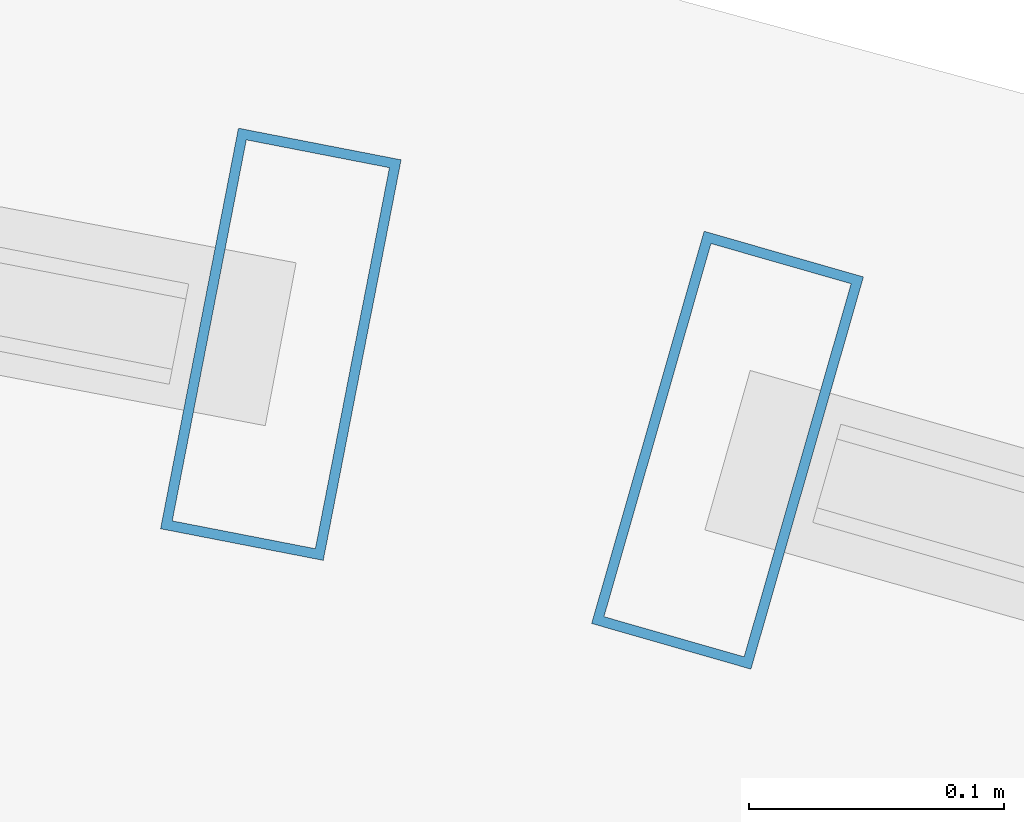
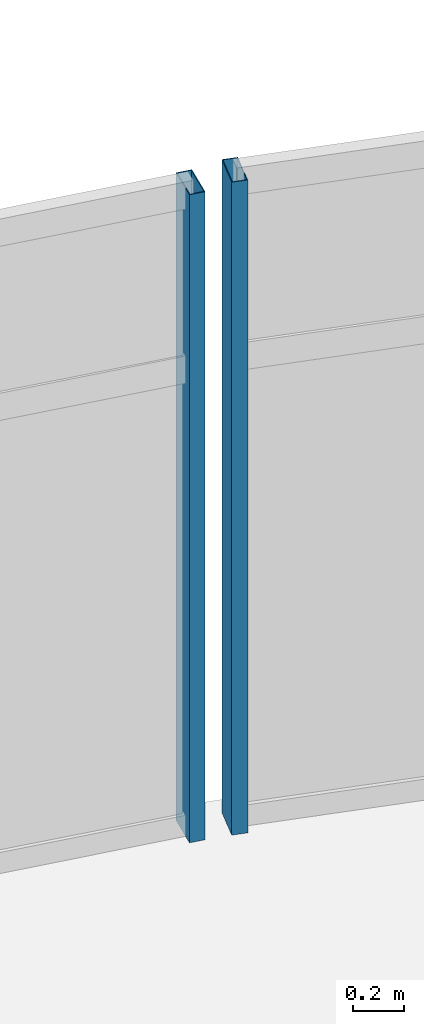
# One storey, part 38 of 114: 2 members, 2 elements without a shape of their own.
"""IFC4 building model written with IfcOpenShell, lengths in metres."""

import ifcopenshell
import ifcopenshell.guid

model = None  # the IFC model being written
_history = None  # IfcOwnerHistory: only IFC2X3 demands one
_inside = {}  # id of a spatial element -> (the spatial element, [elements in it])
_under = {}  # id of a project, library or spatial element -> (it, [spatial elements below it])
_declared = {}  # id of a project -> (the project, [libraries it declares])
_typed = {}  # id of a type object -> (the type object, [elements of that type])
_made_of = {}  # id of a material, layer set ... -> (it, [elements and type objects made of it])


def new_model(schema):
    """Start an empty IFC model of exactly this schema.

    Asked for "IFC4X3", IfcOpenShell would pick the latest addendum, in which some entities
    have other attributes; the version numbers below select the first issue.
    IFC2X3 requires an IfcOwnerHistory on every rooted entity: one is made here for all.
    """
    global model, _history
    if schema == "IFC4X3":
        model = ifcopenshell.file(schema_version=(4, 3, 0, 0))
    else:
        model = ifcopenshell.file(schema=schema)
    _inside.clear()
    _under.clear()
    _declared.clear()
    _typed.clear()
    _made_of.clear()
    _history = None
    if model.schema == "IFC2X3":
        org = make("IfcOrganization", Name="unknown")
        user = make(
            "IfcPersonAndOrganization",
            ThePerson=make("IfcPerson", FamilyName="unknown"),
            TheOrganization=org,
        )
        app = make(
            "IfcApplication",
            ApplicationDeveloper=org,
            Version="unknown",
            ApplicationFullName="unknown",
            ApplicationIdentifier="unknown",
        )
        _history = make(
            "IfcOwnerHistory",
            OwningUser=user,
            OwningApplication=app,
            ChangeAction="ADDED",
            CreationDate=0,
        )
    return model


def make(cls, **values):
    """One entity of the class cls with the attributes given. An attribute that is None is left unset."""
    return model.create_entity(
        cls, **{name: value for name, value in values.items() if value is not None}
    )


def rooted(cls, **values):
    """An entity with a GlobalId (a new one), such as an element, a storey or a relation."""
    return make(cls, GlobalId=ifcopenshell.guid.new(), OwnerHistory=_history, **values)


def si_unit(unit_type, name, prefix=None):
    """IfcSIUnit, for example si_unit("LENGTHUNIT", "METRE", prefix="MILLI")."""
    return make("IfcSIUnit", UnitType=unit_type, Prefix=prefix, Name=name)


def assignment(units):
    """IfcUnitAssignment: the units of a project."""
    return None if units is None else make("IfcUnitAssignment", Units=units)


def point(xyz):
    """IfcCartesianPoint."""
    return None if xyz is None else make("IfcCartesianPoint", Coordinates=xyz)


def direction(xyz):
    """IfcDirection."""
    return None if xyz is None else make("IfcDirection", DirectionRatios=xyz)


def frame(location, z_axis=None, x_axis=None):
    """IfcAxis2Placement3D, a coordinate frame: its origin and axes. An axis left out is left unset."""
    return make(
        "IfcAxis2Placement3D",
        Location=point(location),
        Axis=direction(z_axis),
        RefDirection=direction(x_axis),
    )


def frame_2d(location, x_axis=None):
    """IfcAxis2Placement2D, a coordinate frame in the plane: its origin and x axis."""
    return make(
        "IfcAxis2Placement2D", Location=point(location), RefDirection=direction(x_axis)
    )


def origin():
    """The frame at (0, 0, 0) with its axes left unset."""
    return frame((0.0, 0.0, 0.0))


def origin_2d():
    """The frame at (0, 0) in the plane with its x axis left unset."""
    return frame_2d((0.0, 0.0))


def place(relative_to, where):
    """IfcLocalPlacement: puts the frame where relative to a parent placement (None: the world)."""
    return make(
        "IfcLocalPlacement", PlacementRelTo=relative_to, RelativePlacement=where
    )


def context(
    kind, dimensions, precision=None, world=None, true_north=None, identifier=None
):
    """IfcGeometricRepresentationContext, for example the 3D "Model" context."""
    return make(
        "IfcGeometricRepresentationContext",
        ContextIdentifier=identifier,
        ContextType=kind,
        CoordinateSpaceDimension=dimensions,
        Precision=precision,
        WorldCoordinateSystem=world,
        TrueNorth=true_north,
    )


def subcontext(parent, identifier, kind, view, scale=None):
    """IfcGeometricRepresentationSubContext, for example "Body" below "Model"."""
    return make(
        "IfcGeometricRepresentationSubContext",
        ContextIdentifier=identifier,
        ContextType=kind,
        ParentContext=parent,
        TargetScale=scale,
        TargetView=view,
    )


def project(units=None, contexts=None):
    """IfcProject with its units and contexts."""
    return rooted(
        "IfcProject",
        Name="project",
        RepresentationContexts=contexts,
        UnitsInContext=assignment(units),
    )


def spatial(cls, under=None, at=None, **own):
    """A site, building, storey or space (cls), placed at a placement, below another one or the project."""
    s = rooted(cls, ObjectPlacement=at, **own)
    if under is not None:
        _under.setdefault(under.id(), (under, []))[1].append(s)
    return s


def profile(cls, at=None, kind="AREA", **sizes):
    """A parametric profile (cls). Its sizes go by their IFC names, for example OverallWidth=200.0."""
    return make(cls, ProfileType=kind, Position=at, **sizes)


def hollow_rectangle(**sizes):
    """IfcRectangleHollowProfileDef."""
    return profile("IfcRectangleHollowProfileDef", **sizes)


def extrude(swept, where, along, depth):
    """IfcExtrudedAreaSolid: the profile swept, set in the frame where, extruded along a direction by depth."""
    return make(
        "IfcExtrudedAreaSolid",
        SweptArea=swept,
        Position=where,
        ExtrudedDirection=direction(along),
        Depth=depth,
    )


def shape(context_of_items, identifier, shape_type, items):
    """IfcShapeRepresentation: the items that make up one representation, for example the "Body"."""
    return make(
        "IfcShapeRepresentation",
        ContextOfItems=context_of_items,
        RepresentationIdentifier=identifier,
        RepresentationType=shape_type,
        Items=items,
    )


def material(Name=None, Category=None):
    """IfcMaterial."""
    return make("IfcMaterial", Name=Name, Category=Category)


def layer(
    of_material, thickness, ventilated=None, Name=None, Category=None, Priority=None
):
    """IfcMaterialLayer: one layer of a wall or slab, of a material (None: an air gap)."""
    return make(
        "IfcMaterialLayer",
        Material=of_material,
        LayerThickness=thickness,
        IsVentilated=ventilated,
        Name=Name,
        Category=Category,
        Priority=Priority,
    )


def layer_set(layers, Name=None):
    """IfcMaterialLayerSet."""
    return make("IfcMaterialLayerSet", MaterialLayers=layers, LayerSetName=Name)


def material_profile(
    of_material, cross_section, Name=None, Category=None, Priority=None
):
    """IfcMaterialProfile: a cross section and its material."""
    return make(
        "IfcMaterialProfile",
        Name=Name,
        Material=of_material,
        Profile=cross_section,
        Priority=Priority,
        Category=Category,
    )


def profile_set(profiles, Name=None, composite=None):
    """IfcMaterialProfileSet."""
    return make(
        "IfcMaterialProfileSet",
        Name=Name,
        MaterialProfiles=profiles,
        CompositeProfile=composite,
    )


def made_of(thing, what):
    """Note that an element or type object is made of a material, layer set ...; save() writes the relation."""
    if what is not None:
        _made_of.setdefault(what.id(), (what, []))[1].append(thing)
    return thing


def type_object(cls, material=None, **own):
    """A type object (cls), such as IfcWallType, which elements share."""
    return made_of(rooted(cls, **own), material)


def element(
    cls,
    number,
    at=None,
    inside=None,
    cuts=None,
    type_object=None,
    material=None,
    context=None,
    identifier="Body",
    shape_type=None,
    held_by="IfcProductDefinitionShape",
    body=None,
    shapes=None,
    **own,
):
    """One element of the class cls, such as IfcWall. Its Tag is "e" and its number.

    at: its placement. inside: the storey or other place that contains it. cuts: it is an
    opening in that element (IfcRelVoidsElement). A single representation is given by context,
    identifier, shape_type and body (its items); several are given by shapes. held_by: the class
    of the entity that holds the representations. save() writes the other relations.
    """
    e = rooted(cls, Tag="e%d" % number, ObjectPlacement=at, **own)
    if body is not None:
        shapes = [shape(context, identifier, shape_type, body)]
    if shapes is not None:
        e.Representation = make(held_by, Representations=shapes)
    if inside is not None:
        _inside.setdefault(inside.id(), (inside, []))[1].append(e)
    if cuts is not None:
        rooted(
            "IfcRelVoidsElement", RelatingBuildingElement=cuts, RelatedOpeningElement=e
        )
    if type_object is not None:
        _typed.setdefault(type_object.id(), (type_object, []))[1].append(e)
    return made_of(e, material)


def aggregate(whole, parts):
    """IfcRelAggregates: a whole, such as a stair, and the parts it consists of."""
    return rooted("IfcRelAggregates", RelatingObject=whole, RelatedObjects=parts)


def save(model, path):
    """Write the relations noted so far, then the file.

    IfcRelAggregates (storeys below a building ...), IfcRelContainedInSpatialStructure (elements
    in a storey), IfcRelDefinesByType, IfcRelAssociatesMaterial and IfcRelDeclares: one each for
    every whole, place, type object, material and project.
    """
    for whole, parts in _under.values():
        aggregate(whole, parts)
    for where, things in _inside.values():
        rooted(
            "IfcRelContainedInSpatialStructure",
            RelatedElements=things,
            RelatingStructure=where,
        )
    for kind, things in _typed.values():
        rooted("IfcRelDefinesByType", RelatedObjects=things, RelatingType=kind)
    for what, things in _made_of.values():
        rooted("IfcRelAssociatesMaterial", RelatedObjects=things, RelatingMaterial=what)
    for by, libraries in _declared.values():
        rooted("IfcRelDeclares", RelatingContext=by, RelatedDefinitions=libraries)
    model.write(path)


model = new_model("IFC4")

# Units and contexts
model_context = context("Model", 3, precision=1e-05, world=origin(), true_north=direction((0.0, 1.0)))
body_context = subcontext(model_context, "Body", "Model", "MODEL_VIEW")
ifc_project = project(units=[si_unit("LENGTHUNIT", "METRE"), si_unit("AREAUNIT", "SQUARE_METRE"), si_unit("VOLUMEUNIT", "CUBIC_METRE"), si_unit("PLANEANGLEUNIT", "RADIAN"), si_unit("MASSUNIT", "GRAM", prefix="KILO")], contexts=[model_context])

# Site, building, storey
site_placement = place(None, origin())
site = spatial("IfcSite", under=ifc_project, at=site_placement, CompositionType="ELEMENT")
building_placement = place(site_placement, origin())
building = spatial("IfcBuilding", under=site, at=building_placement, Name="Chalmorin Arch Market", CompositionType="ELEMENT")
storey_placement = place(building_placement, frame((0.0, 0.0, 9.60009765625)))
storey = spatial("IfcBuildingStorey", under=building, at=storey_placement, Name="L02", CompositionType="ELEMENT", Elevation=9.60009765625)

# Curtain wall, member
ifc_material = material(Name="Aluminium 6063-T6", Category="aluminium")
ifc_layer_1 = layer(ifc_material, 0.159912109375)
ifc_layer_set_1 = layer_set([ifc_layer_1], Name="Aluminium 6063-T6")
curtain_wall_type_1 = type_object("IfcCurtainWallType", Name="RiverfrontStorefrontCurtainWall-CW2-4710x3090", PredefinedType="NOTDEFINED", material=ifc_layer_set_1)
curtain_wall_1_placement = place(storey_placement, origin())
curtain_wall_1 = element("IfcCurtainWall", 1, at=curtain_wall_1_placement, inside=storey, type_object=curtain_wall_type_1, Name="CW-02-086", PredefinedType="NOTDEFINED")
ifc_material_profile = material_profile(ifc_material, hollow_rectangle(XDim=0.06494140625, YDim=0.159912109375, WallThickness=0.00390625, at=origin_2d()), Name="ALU65X160X4")
ifc_profile_set = profile_set([ifc_material_profile], Name="Aluminium 6063-T6")
member_type = type_object("IfcMemberType", Name="CurtainWallMullion-65x160", PredefinedType="MULLION", material=ifc_profile_set)
member_1_placement = place(storey_placement, frame((28.711669921875, 53.466796875, 0.0), z_axis=(0.0, 0.0, 1.0), x_axis=(0.981627183448, -0.190808995377, 0.0)))
member_1 = element("IfcMember", 2, at=member_1_placement, type_object=member_type, Name="ML-086-04", PredefinedType="MULLION", context=body_context, shape_type="SweptSolid", body=[
    extrude(hollow_rectangle(XDim=0.06494140625, YDim=0.159912109375, WallThickness=0.00390625, at=origin_2d()), origin(), (0.0, 0.0, 1.0), 3.0908203125),
])
aggregate(curtain_wall_1, [member_1])

ifc_layer_2 = layer(ifc_material, 0.159912109375)
ifc_layer_set_2 = layer_set([ifc_layer_2], Name="Aluminium 6063-T6")
curtain_wall_type_2 = type_object("IfcCurtainWallType", Name="RiverfrontStorefrontCurtainWall-CW2-4810x3110", PredefinedType="NOTDEFINED", material=ifc_layer_set_2)
curtain_wall_2_placement = place(storey_placement, origin())
curtain_wall_2 = element("IfcCurtainWall", 3, at=curtain_wall_2_placement, inside=storey, type_object=curtain_wall_type_2, Name="CW-02-089", PredefinedType="NOTDEFINED")
member_2_placement = place(storey_placement, frame((28.88671875, 53.42529296875, 0.0), z_axis=(0.0, 0.0, 1.0), x_axis=(0.961261695938, -0.275637355817, 0.0)))
member_2 = element("IfcMember", 4, at=member_2_placement, type_object=member_type, Name="ML-089-01", PredefinedType="MULLION", context=body_context, shape_type="SweptSolid", body=[
    extrude(hollow_rectangle(XDim=0.06494140625, YDim=0.159912109375, WallThickness=0.00390625, at=origin_2d()), origin(), (0.0, 0.0, 1.0), 3.114013671875),
])
aggregate(curtain_wall_2, [member_2])

save(model, "model.ifc")
